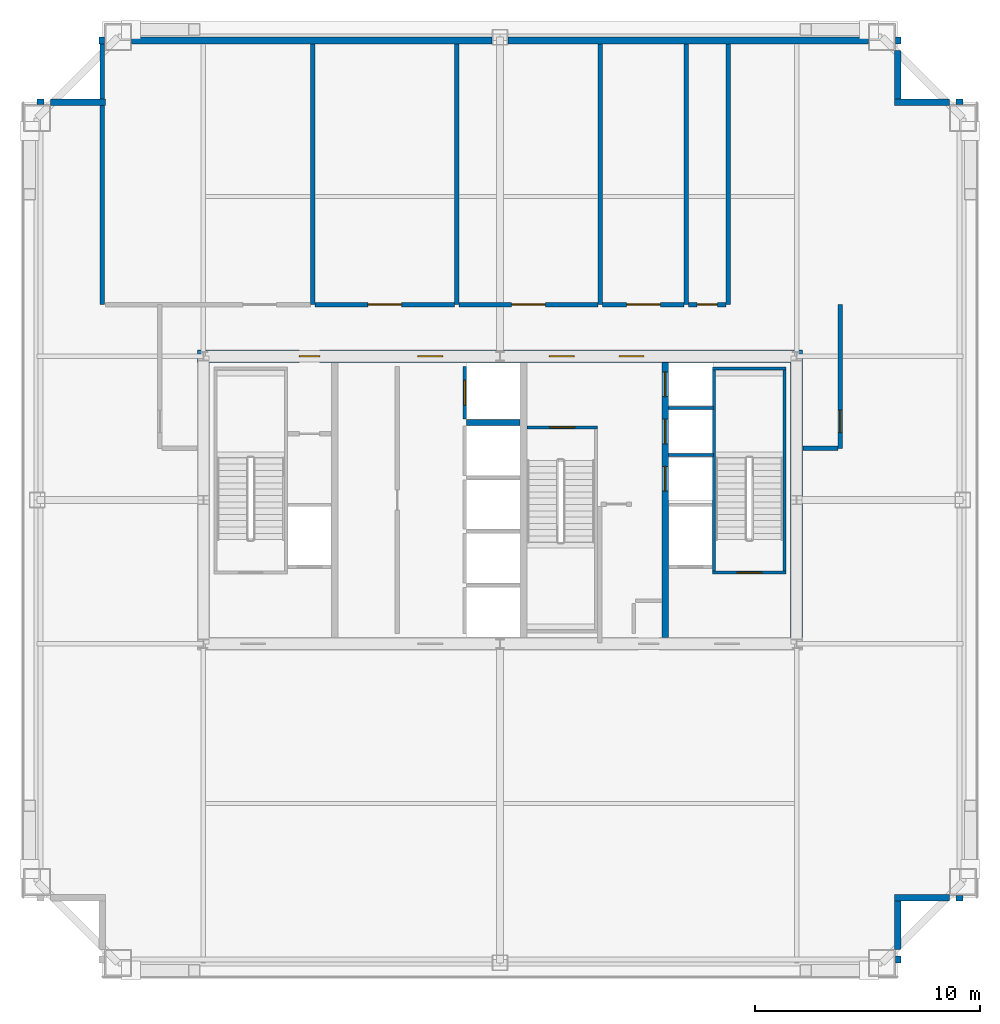
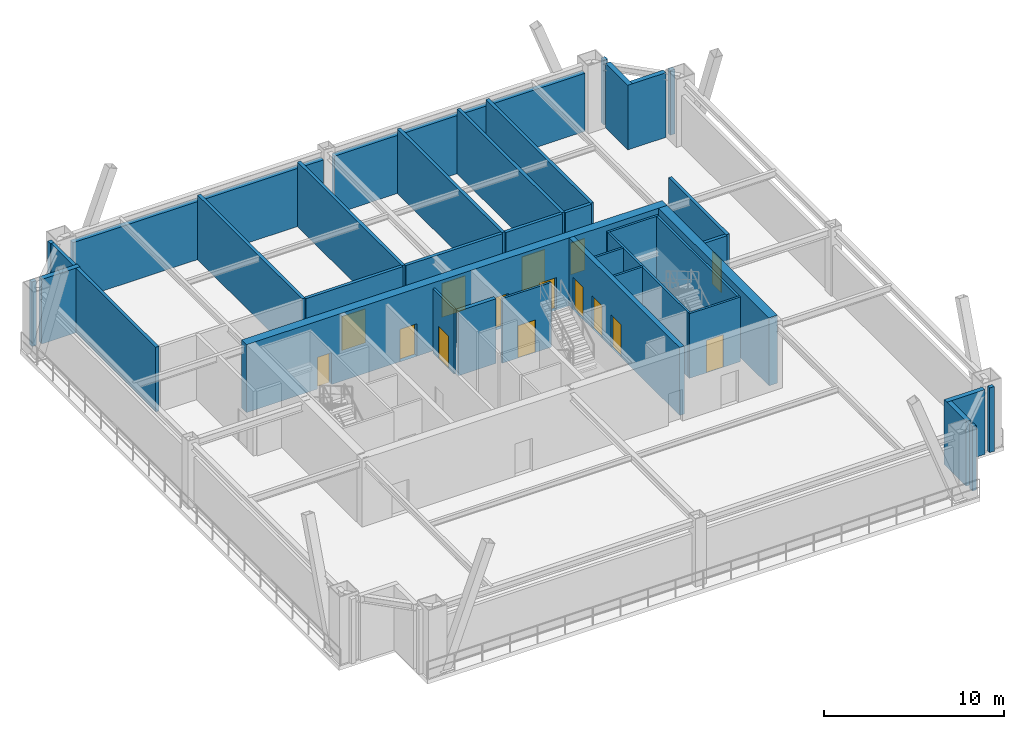
# One storey, part 4 of 8: 37 walls, 15 doors, 15 openings.
"""IFC4 building model written with IfcOpenShell, lengths in metres."""

from ifc_helpers import new_model, si_unit, direction, frame, frame_2d, origin, place, context, subcontext, project, spatial, rectangle, extrude, source, transform, mapped, material, layer, layer_set, type_object, element, fill, save


model = new_model("IFC4")

# Units and contexts
model_context = context("Model", 3, precision=1e-05, world=origin(), true_north=direction((0.0, 1.0)))
body_context = subcontext(model_context, "Body", "Model", "MODEL_VIEW")
ifc_project = project(units=[si_unit("LENGTHUNIT", "METRE"), si_unit("AREAUNIT", "SQUARE_METRE"), si_unit("VOLUMEUNIT", "CUBIC_METRE"), si_unit("PLANEANGLEUNIT", "RADIAN"), si_unit("MASSUNIT", "GRAM", prefix="KILO"), si_unit("THERMODYNAMICTEMPERATUREUNIT", "KELVIN"), si_unit("POWERUNIT", "WATT")], contexts=[model_context])

# Site, building, storey
site_placement = place(None, origin())
site = spatial("IfcSite", under=ifc_project, at=site_placement, CompositionType="ELEMENT")
building_placement = place(site_placement, origin())
building = spatial("IfcBuilding", under=site, at=building_placement, Name="Yuzanri Waterfront Tower", CompositionType="ELEMENT")
storey_placement = place(building_placement, frame((0.0, 0.0, 263.5)))
storey = spatial("IfcBuildingStorey", under=building, at=storey_placement, Name="L70", CompositionType="ELEMENT", Elevation=263.5)

# Wall, openings, doors
ifc_material_1 = material(Name="Concrete C50", Category="concrete")
ifc_layer_1 = layer(ifc_material_1, 0.300048828125)
ifc_layer_set_1 = layer_set([ifc_layer_1], Name="Concrete C50")
wall_type_1 = type_object("IfcWallType", Name="Concrete C50 Internal Core Shaft Structural Wall 300", PredefinedType="SOLIDWALL", material=ifc_layer_set_1)
wall_1_placement = place(storey_placement, frame((44.35009765625, 19.675048828125, 0.0), z_axis=(0.0, 0.0, 1.0), x_axis=(0.0, 1.0, 0.0)))
wall_1 = element("IfcWall", 1, at=wall_1_placement, inside=storey, type_object=wall_type_1, Name="L70 Core Internal Structural Web Wall 3", PredefinedType="SOLIDWALL", context=body_context, shape_type="SweptSolid", body=[
    extrude(rectangle(XDim=12.25, YDim=0.300048828125, at=frame_2d((6.125, 0.0))), origin(), (0.0, 0.0, 1.0), 4.60009765625),
])
opening_1_placement = place(wall_1_placement, frame((6.52490234375, 0.0, 0.0)))
opening_1 = element("IfcOpeningElement", 2, at=opening_1_placement, cuts=wall_1, Name="Opening LD-PL-09", PredefinedType="OPENING", context=body_context, shape_type="SweptSolid", body=[
    extrude(rectangle(XDim=1.10009765625, YDim=2.199951171875, at=frame_2d((0.550048828125, 1.10009765625))), frame((0.0, 0.1650390625, 0.0), z_axis=(0.0, -1.0, 0.0), x_axis=(1.0, 0.0, 0.0)), (0.0, 0.0, 1.0), 0.329833984375),
])
opening_2_placement = place(wall_1_placement, frame((8.625, 0.0, 0.0)))
opening_2 = element("IfcOpeningElement", 3, at=opening_2_placement, cuts=wall_1, Name="Opening LD-PL-10", PredefinedType="OPENING", context=body_context, shape_type="SweptSolid", body=[
    extrude(rectangle(XDim=1.10009765625, YDim=2.199951171875, at=frame_2d((0.550048828125, 1.10009765625))), frame((0.0, 0.1650390625, 0.0), z_axis=(0.0, -1.0, 0.0), x_axis=(1.0, 0.0, 0.0)), (0.0, 0.0, 1.0), 0.329833984375),
])
opening_3_placement = place(wall_1_placement, frame((10.72509765625, 0.0, 0.0)))
opening_3 = element("IfcOpeningElement", 4, at=opening_3_placement, cuts=wall_1, Name="Opening LD-PL-11", PredefinedType="OPENING", context=body_context, shape_type="SweptSolid", body=[
    extrude(rectangle(XDim=1.10009765625, YDim=2.199951171875, at=frame_2d((0.550048828125, 1.10009765625))), frame((0.0, 0.1650390625, 0.0), z_axis=(0.0, -1.0, 0.0), x_axis=(1.0, 0.0, 0.0)), (0.0, 0.0, 1.0), 0.329833984375),
])
ifc_material_2 = material(Name="Brushed Bronze and Stainless Steel Cab", Category="steel")
door_type_1 = type_object("IfcDoorType", Name="Center-Parting Bronze Lift Landing Sliding Door 1100x2200", OperationType="NOTDEFINED", PredefinedType="DOOR", material=ifc_material_2)
shared_shape_1 = source(origin(), body_context, "Body", "SweptSolid", [
    extrude(rectangle(XDim=1.10009765625, YDim=2.199951171875, at=frame_2d((0.550048828125, 1.10009765625))), frame((0.0, 0.02490234375, 0.0), z_axis=(0.0, -1.0, 0.0), x_axis=(1.0, 0.0, 0.0)), (0.0, 0.0, 1.0), 0.050048828125),
])
door_1_placement = place(opening_1_placement, origin())
door_1 = element("IfcDoor", 5, at=door_1_placement, inside=storey, type_object=door_type_1, Name="L70 PL-09 Lift Landing Sliding Door", OperationType="SLIDING_TO_LEFT", OverallHeight=2.199951171875, OverallWidth=1.10009765625, PredefinedType="DOOR", context=body_context, shape_type="MappedRepresentation", body=[
    mapped(shared_shape_1, transform((0.0, 0.0, 0.0), scale=1.0)),
])
fill(opening_1, door_1)
door_2_placement = place(opening_2_placement, origin())
door_2 = element("IfcDoor", 6, at=door_2_placement, inside=storey, type_object=door_type_1, Name="L70 PL-10 Lift Landing Sliding Door", OperationType="SLIDING_TO_RIGHT", OverallHeight=2.199951171875, OverallWidth=1.10009765625, PredefinedType="DOOR", context=body_context, shape_type="MappedRepresentation", body=[
    mapped(shared_shape_1, transform((0.0, 0.0, 0.0), scale=1.0)),
])
fill(opening_2, door_2)
door_3_placement = place(opening_3_placement, origin())
door_3 = element("IfcDoor", 7, at=door_3_placement, inside=storey, type_object=door_type_1, Name="L70 PL-11 Lift Landing Sliding Door", OperationType="SLIDING_TO_LEFT", OverallHeight=2.199951171875, OverallWidth=1.10009765625, PredefinedType="DOOR", context=body_context, shape_type="MappedRepresentation", body=[
    mapped(shared_shape_1, transform((0.0, 0.0, 0.0), scale=1.0)),
])
fill(opening_3, door_3)

ifc_material_3 = material(Name="Concrete C50", Category="concrete")
ifc_layer_2 = layer(ifc_material_3, 0.550048828125)
ifc_layer_set_2 = layer_set([ifc_layer_2], Name="Concrete C50")
wall_type_2 = type_object("IfcWallType", Name="Concrete C50 Upper-Mid Zone Core Shear Wall 550", PredefinedType="SHEAR", material=ifc_layer_set_2)
wall_2_placement = place(storey_placement, frame((23.52490234375, 32.199951171875, 0.0), z_axis=(0.0, 0.0, 1.0), x_axis=(1.0, 0.0, 0.0)))
wall_2 = element("IfcWall", 8, at=wall_2_placement, inside=storey, type_object=wall_type_2, Name="L70 Core North Shear Wall", PredefinedType="SHEAR", context=body_context, shape_type="SweptSolid", body=[
    extrude(rectangle(XDim=26.9501953125, YDim=0.550048828125, at=frame_2d((13.47509765625, 0.0))), origin(), (0.0, 0.0, 1.0), 4.60009765625),
])
opening_4_placement = place(wall_2_placement, frame((4.544921875, 0.0, 0.0)))
opening_4 = element("IfcOpeningElement", 9, at=opening_4_placement, cuts=wall_2, Name="Opening FD-0900", PredefinedType="OPENING", context=body_context, shape_type="SweptSolid", body=[
    extrude(rectangle(XDim=0.89990234375, YDim=2.14990234375, at=frame_2d((0.449951171875, 1.074951171875))), frame((0.0, 0.2900390625, 0.0), z_axis=(0.0, -1.0, 0.0), x_axis=(1.0, 0.0, 0.0)), (0.0, 0.0, 1.0), 0.579833984375),
])
opening_5_placement = place(wall_2_placement, frame((9.824951171875, 0.0, 0.0)))
opening_5 = element("IfcOpeningElement", 10, at=opening_5_placement, cuts=wall_2, Name="Opening FD-1100", PredefinedType="OPENING", context=body_context, shape_type="SweptSolid", body=[
    extrude(rectangle(XDim=1.10009765625, YDim=2.199951171875, at=frame_2d((0.550048828125, 1.10009765625))), frame((0.0, 0.2900390625, 0.0), z_axis=(0.0, -1.0, 0.0), x_axis=(1.0, 0.0, 0.0)), (0.0, 0.0, 1.0), 0.579833984375),
])
opening_6_placement = place(wall_2_placement, frame((15.675048828125, 0.0, 0.0)))
opening_6 = element("IfcOpeningElement", 11, at=opening_6_placement, cuts=wall_2, Name="Opening FD-1100", PredefinedType="OPENING", context=body_context, shape_type="SweptSolid", body=[
    extrude(rectangle(XDim=1.10009765625, YDim=2.199951171875, at=frame_2d((0.550048828125, 1.10009765625))), frame((0.0, 0.2900390625, 0.0), z_axis=(0.0, -1.0, 0.0), x_axis=(1.0, 0.0, 0.0)), (0.0, 0.0, 1.0), 0.579833984375),
])
opening_7_placement = place(wall_2_placement, frame((18.77490234375, 0.0, 0.0)))
opening_7 = element("IfcOpeningElement", 12, at=opening_7_placement, cuts=wall_2, Name="Opening FD-1100", PredefinedType="OPENING", context=body_context, shape_type="SweptSolid", body=[
    extrude(rectangle(XDim=1.10009765625, YDim=2.199951171875, at=frame_2d((0.550048828125, 1.10009765625))), frame((0.0, 0.2900390625, 0.0), z_axis=(0.0, -1.0, 0.0), x_axis=(1.0, 0.0, 0.0)), (0.0, 0.0, 1.0), 0.579833984375),
])
ifc_material_4 = material(Name="Painted Galvanized Fire Steel", Category="steel")
door_type_2 = type_object("IfcDoorType", Name="Smoke-Proof Stair and Lobby Fire Door 1100x2200", OperationType="NOTDEFINED", PredefinedType="DOOR", material=ifc_material_4)
shared_shape_2 = source(origin(), body_context, "Body", "SweptSolid", [
    extrude(rectangle(XDim=1.10009765625, YDim=2.199951171875, at=frame_2d((0.550048828125, 1.10009765625))), frame((0.0, 0.02490234375, 0.0), z_axis=(0.0, -1.0, 0.0), x_axis=(1.0, 0.0, 0.0)), (0.0, 0.0, 1.0), 0.050048828125),
])
door_4_placement = place(opening_5_placement, origin())
door_4 = element("IfcDoor", 13, at=door_4_placement, inside=storey, type_object=door_type_2, Name="L70 Central Lift Lobby North Door", OperationType="SINGLE_SWING_LEFT", OverallHeight=2.199951171875, OverallWidth=1.10009765625, PredefinedType="DOOR", context=body_context, shape_type="MappedRepresentation", body=[
    mapped(shared_shape_2, transform((0.0, 0.0, 0.0), scale=1.0)),
])
fill(opening_5, door_4)
door_5_placement = place(opening_6_placement, origin())
door_5 = element("IfcDoor", 14, at=door_5_placement, inside=storey, type_object=door_type_2, Name="L70 North Stair Lobby Door", OperationType="SINGLE_SWING_RIGHT", OverallHeight=2.199951171875, OverallWidth=1.10009765625, PredefinedType="DOOR", context=body_context, shape_type="MappedRepresentation", body=[
    mapped(shared_shape_2, transform((0.0, 0.0, 0.0), scale=1.0)),
])
fill(opening_6, door_5)
door_6_placement = place(opening_7_placement, origin())
door_6 = element("IfcDoor", 15, at=door_6_placement, inside=storey, type_object=door_type_2, Name="L70 High-Rise Lift Lobby North Door", OperationType="SINGLE_SWING_LEFT", OverallHeight=2.199951171875, OverallWidth=1.10009765625, PredefinedType="DOOR", context=body_context, shape_type="MappedRepresentation", body=[
    mapped(shared_shape_2, transform((0.0, 0.0, 0.0), scale=1.0)),
])
fill(opening_7, door_6)
ifc_material_5 = material(Name="Painted Galvanized Fire Steel", Category="steel")
door_type_3 = type_object("IfcDoorType", Name="Riser and Service Room Fire Door 900x2150", OperationType="NOTDEFINED", PredefinedType="DOOR", material=ifc_material_5)
shared_shape_3 = source(origin(), body_context, "Body", "SweptSolid", [
    extrude(rectangle(XDim=0.89990234375, YDim=2.14990234375, at=frame_2d((0.449951171875, 1.074951171875))), frame((0.0, 0.02490234375, 0.0), z_axis=(0.0, -1.0, 0.0), x_axis=(1.0, 0.0, 0.0)), (0.0, 0.0, 1.0), 0.050048828125),
])
door_7_placement = place(opening_4_placement, origin())
door_7 = element("IfcDoor", 16, at=door_7_placement, inside=storey, type_object=door_type_3, Name="L70 Telecom Riser Door", OperationType="SINGLE_SWING_RIGHT", OverallHeight=2.14990234375, OverallWidth=0.89990234375, PredefinedType="DOOR", context=body_context, shape_type="MappedRepresentation", body=[
    mapped(shared_shape_3, transform((0.0, 0.0, 0.0), scale=1.0)),
])
fill(opening_4, door_7)

# Wall, opening, door
ifc_material_6 = material(Name="Concrete C40", Category="concrete")
ifc_layer_3 = layer(ifc_material_6, 0.139892578125)
ifc_layer_set_3 = layer_set([ifc_layer_3], Name="Concrete C40")
wall_type_3 = type_object("IfcWallType", Name="Core Stair Liner and Hoistway Shaft Wall 140", PredefinedType="SOLIDWALL", material=ifc_layer_set_3)
wall_3_placement = place(storey_placement, frame((35.429931640625, 29.39990234375, 0.0), z_axis=(0.0, 0.0, 1.0), x_axis=(0.0, 1.0, 0.0)))
wall_3 = element("IfcWall", 17, at=wall_3_placement, inside=storey, type_object=wall_type_3, Name="L70 Lift SL-02 Front Shaft Wall", PredefinedType="SOLIDWALL", context=body_context, shape_type="SweptSolid", body=[
    extrude(rectangle(XDim=2.340087890625, YDim=0.139892578125, at=frame_2d((1.169921875, 0.0))), origin(), (0.0, 0.0, 1.0), 4.3798828125),
])
opening_8_placement = place(wall_3_placement, frame((0.6201171875, 0.0, 0.0)))
opening_8 = element("IfcOpeningElement", 18, at=opening_8_placement, cuts=wall_3, Name="Opening LD-SL-02", PredefinedType="OPENING", context=body_context, shape_type="SweptSolid", body=[
    extrude(rectangle(XDim=1.10009765625, YDim=2.199951171875, at=frame_2d((0.550048828125, 1.10009765625))), frame((0.0, 0.0849609375, 0.0), z_axis=(0.0, -1.0, 0.0), x_axis=(1.0, 0.0, 0.0)), (0.0, 0.0, 1.0), 0.169677734375),
])
door_8_placement = place(opening_8_placement, origin())
door_8 = element("IfcDoor", 19, at=door_8_placement, inside=storey, type_object=door_type_1, Name="L70 SL-02 Lift Landing Sliding Door", OperationType="SLIDING_TO_RIGHT", OverallHeight=2.199951171875, OverallWidth=1.10009765625, PredefinedType="DOOR", context=body_context, shape_type="MappedRepresentation", body=[
    mapped(shared_shape_1, transform((0.0, 0.0, 0.0), scale=1.0)),
])
fill(opening_8, door_8)

wall_4_placement = place(storey_placement, frame((46.4599609375, 22.570068359375, 0.0), z_axis=(0.0, 0.0, 1.0), x_axis=(1.0, 0.0, 0.0)))
wall_4 = element("IfcWall", 20, at=wall_4_placement, inside=storey, type_object=wall_type_3, Name="L70 Shaft Wall STW-L70-ST-02-S", PredefinedType="SOLIDWALL", context=body_context, shape_type="SweptSolid", body=[
    extrude(rectangle(XDim=3.280029296875, YDim=0.139892578125, at=frame_2d((1.64013671875, 0.0))), origin(), (0.0, 0.0, 1.0), 4.3798828125),
])
opening_9_placement = place(wall_4_placement, frame((1.090087890625, 0.0, 0.0)))
opening_9 = element("IfcOpeningElement", 21, at=opening_9_placement, cuts=wall_4, Name="Opening FD-1100", PredefinedType="OPENING", context=body_context, shape_type="SweptSolid", body=[
    extrude(rectangle(XDim=1.10009765625, YDim=2.199951171875, at=frame_2d((0.550048828125, 1.10009765625))), frame((0.0, 0.0849609375, 0.0), z_axis=(0.0, -1.0, 0.0), x_axis=(1.0, 0.0, 0.0)), (0.0, 0.0, 1.0), 0.169677734375),
])
door_9_placement = place(opening_9_placement, origin())
door_9 = element("IfcDoor", 22, at=door_9_placement, inside=storey, type_object=door_type_2, Name="L70 Stair ST-02 Fire Door", OperationType="SINGLE_SWING_LEFT", OverallHeight=2.199951171875, OverallWidth=1.10009765625, PredefinedType="DOOR", context=body_context, shape_type="MappedRepresentation", body=[
    mapped(shared_shape_2, transform((0.0, 0.0, 0.0), scale=1.0)),
])
fill(opening_9, door_9)

wall_5_placement = place(storey_placement, frame((38.199951171875, 29.030029296875, 0.0), z_axis=(0.0, 0.0, 1.0), x_axis=(1.0, 0.0, 0.0)))
wall_5 = element("IfcWall", 23, at=wall_5_placement, inside=storey, type_object=wall_type_3, Name="L70 Shaft Wall STW-L70-ST-03-N", PredefinedType="SOLIDWALL", context=body_context, shape_type="SweptSolid", body=[
    extrude(rectangle(XDim=3.14013671875, YDim=0.139892578125, at=frame_2d((1.570068359375, 0.0))), origin(), (0.0, 0.0, 1.0), 4.3798828125),
])
opening_10_placement = place(wall_5_placement, frame((1.02001953125, 0.0, 0.0)))
opening_10 = element("IfcOpeningElement", 24, at=opening_10_placement, cuts=wall_5, Name="Opening FD-1100", PredefinedType="OPENING", context=body_context, shape_type="SweptSolid", body=[
    extrude(rectangle(XDim=1.10009765625, YDim=2.199951171875, at=frame_2d((0.550048828125, 1.10009765625))), frame((0.0, 0.0849609375, 0.0), z_axis=(0.0, -1.0, 0.0), x_axis=(1.0, 0.0, 0.0)), (0.0, 0.0, 1.0), 0.169677734375),
])
door_10_placement = place(opening_10_placement, origin())
door_10 = element("IfcDoor", 25, at=door_10_placement, inside=storey, type_object=door_type_2, Name="L70 Stair ST-03 Fire Door", OperationType="SINGLE_SWING_RIGHT", OverallHeight=2.199951171875, OverallWidth=1.10009765625, PredefinedType="DOOR", context=body_context, shape_type="MappedRepresentation", body=[
    mapped(shared_shape_2, transform((0.0, 0.0, 0.0), scale=1.0)),
])
fill(opening_10, door_10)

ifc_material_7 = material(Name="Autoclaved Aerated Concrete Blockwork", Category="masonry")
ifc_layer_4 = layer(ifc_material_7, 0.199951171875)
ifc_layer_set_4 = layer_set([ifc_layer_4], Name="Autoclaved Aerated Concrete Blockwork")
wall_type_4 = type_object("IfcWallType", Name="Corridor and Unit Party Fire Wall 200", PredefinedType="PARTITIONING", material=ifc_layer_set_4)
wall_6_placement = place(storey_placement, frame((52.14990234375, 28.10009765625, 0.0), z_axis=(0.0, 0.0, 1.0), x_axis=(0.0, 1.0, 0.0)))
wall_6 = element("IfcWall", 26, at=wall_6_placement, inside=storey, type_object=wall_type_4, Name="L70 Partition RFW-L70-CE", PredefinedType="PARTITIONING", context=body_context, shape_type="SweptSolid", body=[
    extrude(rectangle(XDim=6.39990234375, YDim=0.199951171875, at=frame_2d((3.199951171875, 0.0))), origin(), (0.0, 0.0, 1.0), 4.3798828125),
])
opening_11_placement = place(wall_6_placement, frame((0.699951171875, 0.0, 0.0)))
opening_11 = element("IfcOpeningElement", 27, at=opening_11_placement, cuts=wall_6, Name="Opening TD-1000", PredefinedType="OPENING", context=body_context, shape_type="SweptSolid", body=[
    extrude(rectangle(XDim=1.0, YDim=2.199951171875, at=frame_2d((0.5, 1.10009765625))), frame((0.0, 0.11474609375, 0.0), z_axis=(0.0, -1.0, 0.0), x_axis=(1.0, 0.0, 0.0)), (0.0, 0.0, 1.0), 0.229736328125),
])
ifc_material_8 = material(Name="Anodized Architectural Bronze", Category="metal")
door_type_4 = type_object("IfcDoorType", Name="Anodized Bronze Refuge Deck Weatherproof Exit Door 1000x2200", OperationType="NOTDEFINED", PredefinedType="DOOR", material=ifc_material_8)
shared_shape_4 = source(origin(), body_context, "Body", "SweptSolid", [
    extrude(rectangle(XDim=1.0, YDim=2.199951171875, at=frame_2d((0.5, 1.10009765625))), frame((0.0, 0.02490234375, 0.0), z_axis=(0.0, -1.0, 0.0), x_axis=(1.0, 0.0, 0.0)), (0.0, 0.0, 1.0), 0.050048828125),
])
door_11_placement = place(opening_11_placement, origin())
door_11 = element("IfcDoor", 28, at=door_11_placement, inside=storey, type_object=door_type_4, Name="L70 East Refuge Deck Exit Door", OperationType="SINGLE_SWING_LEFT", OverallHeight=2.199951171875, OverallWidth=1.0, PredefinedType="DOOR", context=body_context, shape_type="MappedRepresentation", body=[
    mapped(shared_shape_4, transform((0.0, 0.0, 0.0), scale=1.0)),
])
fill(opening_11, door_11)

wall_7_placement = place(storey_placement, frame((28.77099609375, 34.5, 0.0), z_axis=(0.0, 0.0, 1.0), x_axis=(1.0, 0.0, 0.0)))
wall_7 = element("IfcWall", 29, at=wall_7_placement, inside=storey, type_object=wall_type_4, Name="L70 Partition RFW-L70-019-S", PredefinedType="PARTITIONING", context=body_context, shape_type="SweptSolid", body=[
    extrude(rectangle(XDim=6.199951171875, YDim=0.199951171875, at=frame_2d((3.10009765625, 0.0))), origin(), (0.0, 0.0, 1.0), 4.3798828125),
])
opening_12_placement = place(wall_7_placement, frame((2.35009765625, 0.0, 0.0)))
opening_12 = element("IfcOpeningElement", 30, at=opening_12_placement, cuts=wall_7, Name="Opening FD-1500", PredefinedType="OPENING", context=body_context, shape_type="SweptSolid", body=[
    extrude(rectangle(XDim=1.5, YDim=2.300048828125, at=frame_2d((0.75, 1.14990234375))), frame((0.0, 0.11474609375, 0.0), z_axis=(0.0, -1.0, 0.0), x_axis=(1.0, 0.0, 0.0)), (0.0, 0.0, 1.0), 0.229736328125),
])
ifc_material_9 = material(Name="Painted Galvanized Fire Steel", Category="steel")
door_type_5 = type_object("IfcDoorType", Name="Plant and Ballroom Double Fire Door 1500x2300", OperationType="NOTDEFINED", PredefinedType="DOOR", material=ifc_material_9)
shared_shape_5 = source(origin(), body_context, "Body", "SweptSolid", [
    extrude(rectangle(XDim=1.5, YDim=2.300048828125, at=frame_2d((0.75, 1.14990234375))), frame((0.0, 0.02490234375, 0.0), z_axis=(0.0, -1.0, 0.0), x_axis=(1.0, 0.0, 0.0)), (0.0, 0.0, 1.0), 0.050048828125),
])
door_12_placement = place(opening_12_placement, origin())
door_12 = element("IfcDoor", 31, at=door_12_placement, inside=storey, type_object=door_type_5, Name="L70 Fire Booster and Transfer Pump Plant Room", OperationType="DOUBLE_DOOR_SINGLE_SWING", OverallHeight=2.300048828125, OverallWidth=1.5, PredefinedType="DOOR", context=body_context, shape_type="MappedRepresentation", body=[
    mapped(shared_shape_5, transform((0.0, 0.0, 0.0), scale=1.0)),
])
fill(opening_12, door_12)

wall_8_placement = place(storey_placement, frame((35.1708984375, 34.5, 0.0), z_axis=(0.0, 0.0, 1.0), x_axis=(1.0, 0.0, 0.0)))
wall_8 = element("IfcWall", 32, at=wall_8_placement, inside=storey, type_object=wall_type_4, Name="L70 Partition RFW-L70-020-S", PredefinedType="PARTITIONING", context=body_context, shape_type="SweptSolid", body=[
    extrude(rectangle(XDim=6.2001953125, YDim=0.199951171875, at=frame_2d((3.10009765625, 0.0))), origin(), (0.0, 0.0, 1.0), 4.3798828125),
])
opening_13_placement = place(wall_8_placement, frame((2.35009765625, 0.0, 0.0)))
opening_13 = element("IfcOpeningElement", 33, at=opening_13_placement, cuts=wall_8, Name="Opening FD-1500", PredefinedType="OPENING", context=body_context, shape_type="SweptSolid", body=[
    extrude(rectangle(XDim=1.5, YDim=2.300048828125, at=frame_2d((0.75, 1.14990234375))), frame((0.0, 0.11474609375, 0.0), z_axis=(0.0, -1.0, 0.0), x_axis=(1.0, 0.0, 0.0)), (0.0, 0.0, 1.0), 0.229736328125),
])
door_13_placement = place(opening_13_placement, origin())
door_13 = element("IfcDoor", 34, at=door_13_placement, inside=storey, type_object=door_type_5, Name="L70 Plate Heat-Exchanger Plant Room", OperationType="DOUBLE_DOOR_SINGLE_SWING", OverallHeight=2.300048828125, OverallWidth=1.5, PredefinedType="DOOR", context=body_context, shape_type="MappedRepresentation", body=[
    mapped(shared_shape_5, transform((0.0, 0.0, 0.0), scale=1.0)),
])
fill(opening_13, door_13)

wall_9_placement = place(storey_placement, frame((41.571044921875, 34.5, 0.0), z_axis=(0.0, 0.0, 1.0), x_axis=(1.0, 0.0, 0.0)))
wall_9 = element("IfcWall", 35, at=wall_9_placement, inside=storey, type_object=wall_type_4, Name="L70 Partition RFW-L70-021-S", PredefinedType="PARTITIONING", context=body_context, shape_type="SweptSolid", body=[
    extrude(rectangle(XDim=3.62890625, YDim=0.199951171875, at=frame_2d((1.814453125, 0.0))), origin(), (0.0, 0.0, 1.0), 4.3798828125),
])
opening_14_placement = place(wall_9_placement, frame((1.06494140625, 0.0, 0.0)))
opening_14 = element("IfcOpeningElement", 36, at=opening_14_placement, cuts=wall_9, Name="Opening FD-1500", PredefinedType="OPENING", context=body_context, shape_type="SweptSolid", body=[
    extrude(rectangle(XDim=1.5, YDim=2.300048828125, at=frame_2d((0.75, 1.14990234375))), frame((0.0, 0.11474609375, 0.0), z_axis=(0.0, -1.0, 0.0), x_axis=(1.0, 0.0, 0.0)), (0.0, 0.0, 1.0), 0.229736328125),
])
door_14_placement = place(opening_14_placement, origin())
door_14 = element("IfcDoor", 37, at=door_14_placement, inside=storey, type_object=door_type_5, Name="L70 Electrical Transformer and UPS Room", OperationType="DOUBLE_DOOR_SINGLE_SWING", OverallHeight=2.300048828125, OverallWidth=1.5, PredefinedType="DOOR", context=body_context, shape_type="MappedRepresentation", body=[
    mapped(shared_shape_5, transform((0.0, 0.0, 0.0), scale=1.0)),
])
fill(opening_14, door_14)

wall_10_placement = place(storey_placement, frame((45.39990234375, 34.5, 0.0), z_axis=(0.0, 0.0, 1.0), x_axis=(1.0, 0.0, 0.0)))
wall_10 = element("IfcWall", 38, at=wall_10_placement, inside=storey, type_object=wall_type_4, Name="L70 Partition RFW-L70-022-S", PredefinedType="PARTITIONING", context=body_context, shape_type="SweptSolid", body=[
    extrude(rectangle(XDim=1.650146484375, YDim=0.199951171875, at=frame_2d((0.8251953125, 0.0))), origin(), (0.0, 0.0, 1.0), 4.3798828125),
])
opening_15_placement = place(wall_10_placement, frame((0.3701171875, 0.0, 0.0)))
opening_15 = element("IfcOpeningElement", 39, at=opening_15_placement, cuts=wall_10, Name="Opening FD-0900", PredefinedType="OPENING", context=body_context, shape_type="SweptSolid", body=[
    extrude(rectangle(XDim=0.89990234375, YDim=2.14990234375, at=frame_2d((0.449951171875, 1.074951171875))), frame((0.0, 0.11474609375, 0.0), z_axis=(0.0, -1.0, 0.0), x_axis=(1.0, 0.0, 0.0)), (0.0, 0.0, 1.0), 0.229736328125),
])
door_15_placement = place(opening_15_placement, origin())
door_15 = element("IfcDoor", 40, at=door_15_placement, inside=storey, type_object=door_type_3, Name="L70 Refuge Accessible WC", OperationType="SINGLE_SWING_RIGHT", OverallHeight=2.14990234375, OverallWidth=0.89990234375, PredefinedType="DOOR", context=body_context, shape_type="MappedRepresentation", body=[
    mapped(shared_shape_3, transform((0.0, 0.0, 0.0), scale=1.0)),
])
fill(opening_15, door_15)

# Walls
shared_shape_6 = source(origin(), body_context, "Body", "SweptSolid", [
    extrude(rectangle(XDim=12.25, YDim=0.550048828125, at=frame_2d((6.125, 0.0))), origin(), (0.0, 0.0, 1.0), 4.60009765625),
])
wall_11_placement = place(storey_placement, frame((50.199951171875, 19.675048828125, 0.0), z_axis=(0.0, 0.0, 1.0), x_axis=(0.0, 1.0, 0.0)))
element("IfcWall", 41, at=wall_11_placement, inside=storey, type_object=wall_type_2, Name="L70 Core East Shear Wall", PredefinedType="SHEAR", context=body_context, shape_type="MappedRepresentation", body=[
    mapped(shared_shape_6, transform((0.0, 0.0, 0.0), scale=1.0)),
])
ifc_material_10 = material(Name="Honed Chongqing Dark Basalt Stone", Category="masonry")
ifc_layer_5 = layer(ifc_material_10, 0.300048828125)
ifc_layer_set_5 = layer_set([ifc_layer_5], Name="Honed Chongqing Dark Basalt Stone")
wall_type_5 = type_object("IfcWallType", Name="Bronze Rainscreen Insulated Spandrel Portal Wall 300", PredefinedType="SOLIDWALL", material=ifc_layer_set_5)
shared_shape_7 = source(origin(), body_context, "Body", "SweptSolid", [
    extrude(rectangle(XDim=2.449951171875, YDim=0.300048828125, at=frame_2d((1.22509765625, 0.0))), origin(), (0.0, 0.0, 1.0), 4.3798828125),
])
for number, where, z_axis, x_axis, name in (
    (42, (54.550048828125, 8.10009765625, 0.0), (0.0, 0.0, 1.0), (1.0, 0.0, 0.0), "L70 Notched Corner Masonry Wall SE-X"),
    (43, (54.699951171875, 5.800048828125, 0.0), (0.0, 0.0, 1.0), (0.0, 1.0, 0.0), "L70 Notched Corner Masonry Wall SE-Y"),
    (44, (19.449951171875, 43.5, 0.0), (0.0, 0.0, 1.0), (-1.0, 0.0, 0.0), "L70 Notched Corner Masonry Wall NW-X"),
    (45, (57.0, 43.5, 0.0), (0.0, 0.0, 1.0), (-1.0, 0.0, 0.0), "L70 Notched Corner Masonry Wall NE-X"),
    (46, (54.699951171875, 43.35009765625, 0.0), (0.0, 0.0, 1.0), (0.0, 1.0, 0.0), "L70 Notched Corner Masonry Wall NE-Y"),
):
    element("IfcWall", number, at=place(storey_placement, frame(where, z_axis=z_axis, x_axis=x_axis)), inside=storey, type_object=wall_type_5, Name=name, PredefinedType="SOLIDWALL", context=body_context, shape_type="MappedRepresentation", body=[
        mapped(shared_shape_7, transform((0.0, 0.0, 0.0), scale=1.0)),
    ])
shared_shape_8 = source(origin(), body_context, "Body", "SweptSolid", [
    extrude(rectangle(XDim=0.25, YDim=0.300048828125, at=frame_2d((0.125, 0.0))), origin(), (0.0, 0.0, 1.0), 4.3798828125),
])
for number, where, z_axis, x_axis, name in (
    (47, (54.60009765625, 5.35009765625, 0.0), (0.0, 0.0, 1.0), (1.0, 0.0, 0.0), "L70 Corner Column Shoulder Return CSE"),
    (48, (19.14990234375, 46.25, 0.0), (0.0, 0.0, 1.0), (1.0, 0.0, 0.0), "L70 Corner Column Shoulder Return CNW"),
    (49, (54.60009765625, 46.25, 0.0), (0.0, 0.0, 1.0), (1.0, 0.0, 0.0), "L70 Corner Column Shoulder Return CNE"),
    (50, (16.550048828125, 43.39990234375, 0.0), (0.0, 0.0, 1.0), (0.0, 1.0, 0.0), "L70 Corner Column Shoulder Return CWN"),
    (51, (57.449951171875, 7.949951171875, 0.0), (0.0, 0.0, 1.0), (0.0, 1.0, 0.0), "L70 Corner Column Shoulder Return CES"),
    (52, (57.449951171875, 43.39990234375, 0.0), (0.0, 0.0, 1.0), (0.0, 1.0, 0.0), "L70 Corner Column Shoulder Return CEN"),
):
    element("IfcWall", number, at=place(storey_placement, frame(where, z_axis=z_axis, x_axis=x_axis)), inside=storey, type_object=wall_type_5, Name=name, PredefinedType="SOLIDWALL", context=body_context, shape_type="MappedRepresentation", body=[
        mapped(shared_shape_8, transform((0.0, 0.0, 0.0), scale=1.0)),
    ])
shared_shape_9 = source(origin(), body_context, "Body", "SweptSolid", [
    extrude(rectangle(XDim=16.0498046875, YDim=0.300048828125, at=frame_2d((8.02490234375, 0.0))), origin(), (0.0, 0.0, 1.0), 3.93505859375),
])
for number, where, z_axis, x_axis, name in (
    (53, (20.60009765625, 46.25, 0.0), (0.0, 0.0, 1.0), (1.0, 0.0, 0.0), "L70 Refuge Plant North-West Wall"),
    (54, (37.35009765625, 46.25, 0.0), (0.0, 0.0, 1.0), (1.0, 0.0, 0.0), "L70 Refuge Plant North-East Wall"),
):
    element("IfcWall", number, at=place(storey_placement, frame(where, z_axis=z_axis, x_axis=x_axis)), inside=storey, type_object=wall_type_5, Name=name, PredefinedType="SOLIDWALL", context=body_context, shape_type="MappedRepresentation", body=[
        mapped(shared_shape_9, transform((0.0, 0.0, 0.0), scale=1.0)),
    ])
ifc_material_11 = material(Name="Concrete C40", Category="concrete")
ifc_layer_6 = layer(ifc_material_11, 0.25)
ifc_layer_set_6 = layer_set([ifc_layer_6], Name="Concrete C40")
wall_type_6 = type_object("IfcWallType", Name="Smoke-Proof Stair and Lift Shaft Wall 250", PredefinedType="SOLIDWALL", material=ifc_layer_set_6)
shared_shape_10 = source(origin(), body_context, "Body", "SweptSolid", [
    extrude(rectangle(XDim=2.39990234375, YDim=0.25, at=frame_2d((1.199951171875, 0.0))), origin(), (0.0, 0.0, 1.0), 4.3798828125),
])
wall_12_placement = place(storey_placement, frame((35.5, 29.25, 0.0), z_axis=(0.0, 0.0, 1.0), x_axis=(1.0, 0.0, 0.0)))
element("IfcWall", 55, at=wall_12_placement, inside=storey, type_object=wall_type_6, Name="L70 Lift SL-02 South Shaft Wall", PredefinedType="SOLIDWALL", context=body_context, shape_type="MappedRepresentation", body=[
    mapped(shared_shape_10, transform((0.0, 0.0, 0.0), scale=1.0)),
])
shared_shape_11 = source(origin(), body_context, "Body", "SweptSolid", [
    extrude(rectangle(XDim=2.0, YDim=0.139892578125, at=frame_2d((1.0, 0.0))), origin(), (0.0, 0.0, 1.0), 4.3798828125),
])
for number, where, z_axis, x_axis, name in (
    (56, (44.5, 27.800048828125, 0.0), (0.0, 0.0, 1.0), (1.0, 0.0, 0.0), "L70 Lift PL-09 Divider Wall"),
    (57, (44.5, 29.89990234375, 0.0), (0.0, 0.0, 1.0), (1.0, 0.0, 0.0), "L70 Lift PL-10 Divider Wall"),
):
    element("IfcWall", number, at=place(storey_placement, frame(where, z_axis=z_axis, x_axis=x_axis)), inside=storey, type_object=wall_type_3, Name=name, PredefinedType="SOLIDWALL", context=body_context, shape_type="MappedRepresentation", body=[
        mapped(shared_shape_11, transform((0.0, 0.0, 0.0), scale=1.0)),
    ])
shared_shape_12 = source(origin(), body_context, "Body", "SweptSolid", [
    extrude(rectangle(XDim=3.280029296875, YDim=0.139892578125, at=frame_2d((1.64013671875, 0.0))), origin(), (0.0, 0.0, 1.0), 4.3798828125),
])
wall_13_placement = place(storey_placement, frame((46.4599609375, 31.64990234375, 0.0), z_axis=(0.0, 0.0, 1.0), x_axis=(1.0, 0.0, 0.0)))
element("IfcWall", 58, at=wall_13_placement, inside=storey, type_object=wall_type_3, Name="L70 Stair ST-02 North Shaft Wall", PredefinedType="SOLIDWALL", context=body_context, shape_type="MappedRepresentation", body=[
    mapped(shared_shape_12, transform((0.0, 0.0, 0.0), scale=1.0)),
])
shared_shape_13 = source(origin(), body_context, "Body", "SweptSolid", [
    extrude(rectangle(XDim=8.940185546875, YDim=0.139892578125, at=frame_2d((4.47021484375, 0.0))), origin(), (0.0, 0.0, 1.0), 4.3798828125),
])
for number, where, z_axis, x_axis, name in (
    (59, (46.530029296875, 22.639892578125, 0.0), (0.0, 0.0, 1.0), (0.0, 1.0, 0.0), "L70 Stair ST-02 West Shaft Wall"),
    (60, (49.669921875, 22.639892578125, 0.0), (0.0, 0.0, 1.0), (0.0, 1.0, 0.0), "L70 Stair ST-02 East Shaft Wall"),
):
    element("IfcWall", number, at=place(storey_placement, frame(where, z_axis=z_axis, x_axis=x_axis)), inside=storey, type_object=wall_type_3, Name=name, PredefinedType="SOLIDWALL", context=body_context, shape_type="MappedRepresentation", body=[
        mapped(shared_shape_13, transform((0.0, 0.0, 0.0), scale=1.0)),
    ])
shared_shape_14 = source(origin(), body_context, "Body", "SweptSolid", [
    extrude(rectangle(XDim=11.60009765625, YDim=0.199951171875, at=frame_2d((5.800048828125, 0.0))), origin(), (0.0, 0.0, 1.0), 4.3798828125),
])
for number, where, z_axis, x_axis, name in (
    (61, (19.300048828125, 34.5, 0.0), (0.0, 0.0, 1.0), (0.0, 1.0, 0.0), "L70 Plant West Wall"),
    (62, (28.6708984375, 34.5, 0.0), (0.0, 0.0, 1.0), (0.0, 1.0, 0.0), "L70-018 Plant Demising Wall"),
    (63, (35.071044921875, 34.5, 0.0), (0.0, 0.0, 1.0), (0.0, 1.0, 0.0), "L70-019 Plant Demising Wall"),
    (64, (41.470947265625, 34.5, 0.0), (0.0, 0.0, 1.0), (0.0, 1.0, 0.0), "L70-020 Plant Demising Wall"),
    (65, (45.300048828125, 34.5, 0.0), (0.0, 0.0, 1.0), (0.0, 1.0, 0.0), "L70-021 Plant Demising Wall"),
    (66, (47.14990234375, 34.5, 0.0), (0.0, 0.0, 1.0), (0.0, 1.0, 0.0), "L70-022 Plant Demising Wall"),
):
    element("IfcWall", number, at=place(storey_placement, frame(where, z_axis=z_axis, x_axis=x_axis)), inside=storey, type_object=wall_type_4, Name=name, PredefinedType="PARTITIONING", context=body_context, shape_type="MappedRepresentation", body=[
        mapped(shared_shape_14, transform((0.0, 0.0, 0.0), scale=1.0)),
    ])
shared_shape_15 = source(origin(), body_context, "Body", "SweptSolid", [
    extrude(rectangle(XDim=1.554931640625, YDim=0.199951171875, at=frame_2d((0.77734375, 0.0))), origin(), (0.0, 0.0, 1.0), 4.3798828125),
])
wall_14_placement = place(storey_placement, frame((50.4951171875, 28.10009765625, 0.0), z_axis=(0.0, 0.0, 1.0), x_axis=(1.0, 0.0, 0.0)))
element("IfcWall", 67, at=wall_14_placement, inside=storey, type_object=wall_type_4, Name="L70 East Refuge Vestibule South Wall", PredefinedType="PARTITIONING", context=body_context, shape_type="MappedRepresentation", body=[
    mapped(shared_shape_15, transform((0.0, 0.0, 0.0), scale=1.0)),
])

save(model, "model.ifc")
